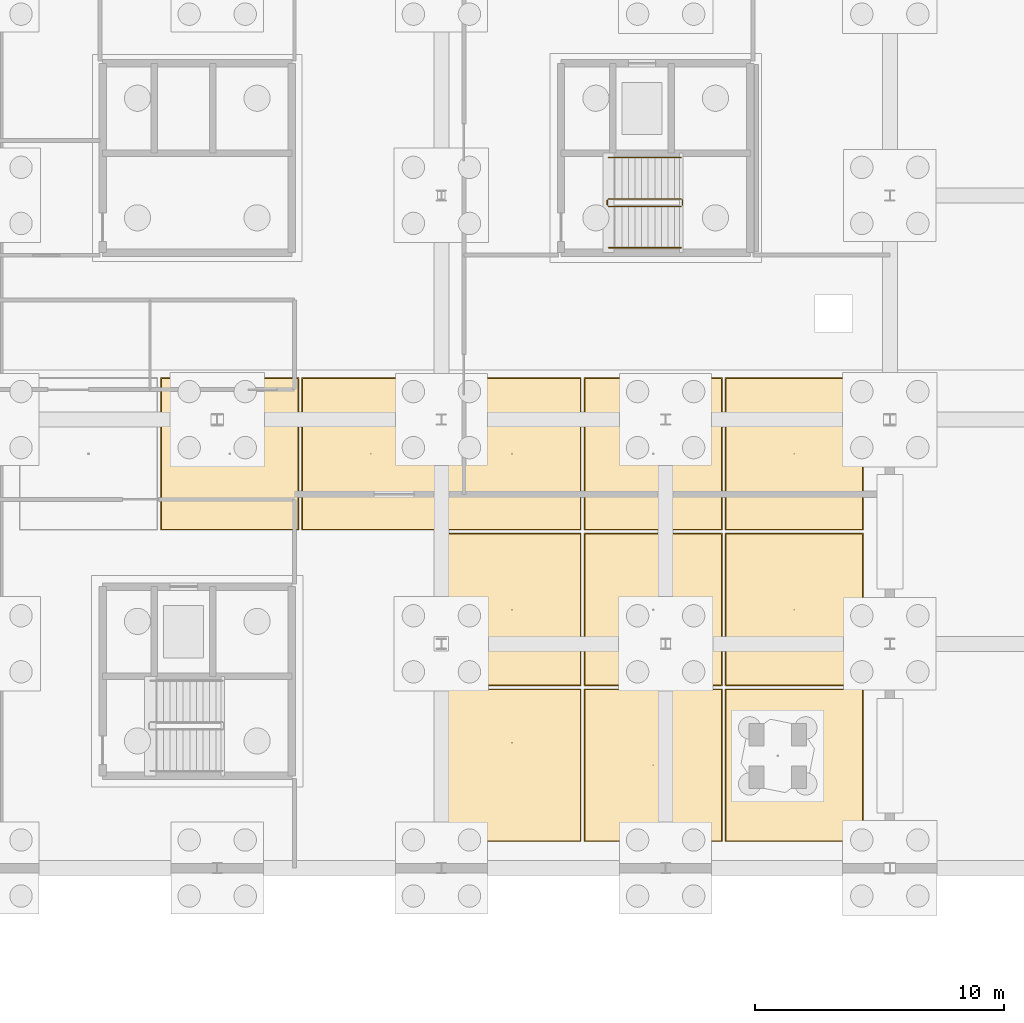
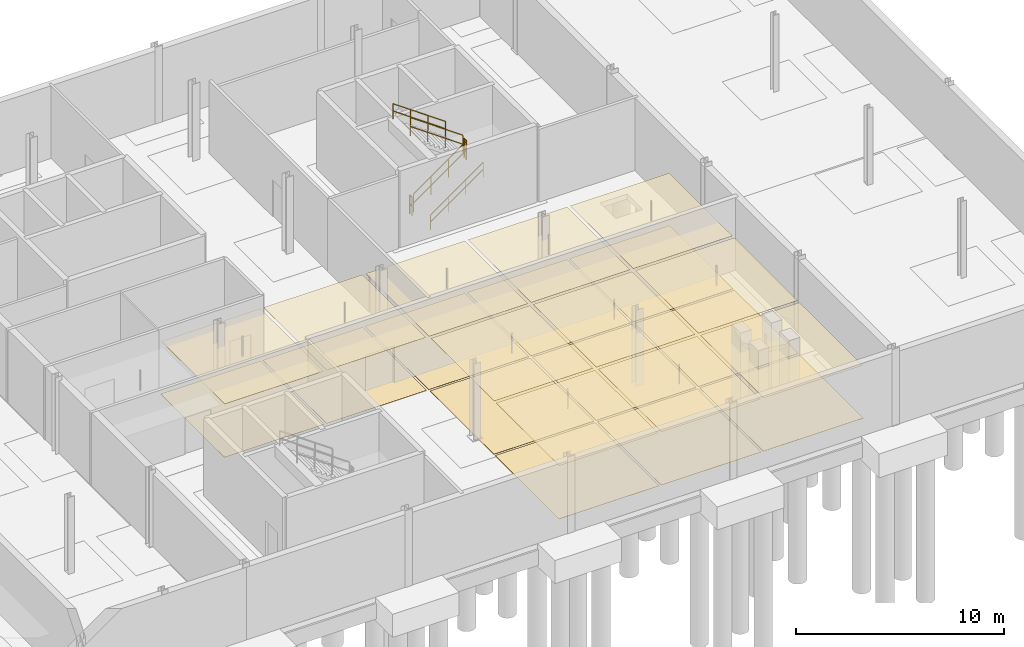
# One storey, part 47 of 48: 22 coverings, 6 railings.
"""IFC4 building model written with IfcOpenShell, lengths in metres."""

from ifc_helpers import new_model, si_unit, direction, frame, origin, origin_2d, place, context, subcontext, project, spatial, rectangle, circle, extrude, material, layer, layer_set, type_object, element, save


model = new_model("IFC4")

# Units and contexts
model_context = context("Model", 3, precision=1e-05, world=origin(), true_north=direction((0.0, 1.0)))
body_context = subcontext(model_context, "Body", "Model", "MODEL_VIEW")
ifc_project = project(units=[si_unit("LENGTHUNIT", "METRE"), si_unit("AREAUNIT", "SQUARE_METRE"), si_unit("VOLUMEUNIT", "CUBIC_METRE"), si_unit("PLANEANGLEUNIT", "RADIAN"), si_unit("MASSUNIT", "GRAM", prefix="KILO"), si_unit("THERMODYNAMICTEMPERATUREUNIT", "KELVIN"), si_unit("POWERUNIT", "WATT")], contexts=[model_context])

# Site, building, storey
site_placement = place(None, origin())
site = spatial("IfcSite", under=ifc_project, at=site_placement, CompositionType="ELEMENT")
building_placement = place(site_placement, origin())
building = spatial("IfcBuilding", under=site, at=building_placement, Name="Tallowbark Science Centre", CompositionType="ELEMENT")
storey_placement = place(building_placement, frame((0.0, 0.0, -4.5)))
storey = spatial("IfcBuildingStorey", under=building, at=storey_placement, Name="B1", CompositionType="ELEMENT", Elevation=-4.5)

# Coverings
ifc_material_1 = material(Name="Mineral-Fibre Acoustic Ceiling Tile Grid")
ifc_layer_1 = layer(ifc_material_1, 0.01806640625)
ifc_layer_set_1 = layer_set([ifc_layer_1], Name="Mineral-Fibre Acoustic Ceiling Tile Grid")
covering_type_1 = type_object("IfcCoveringType", Name="CLG-ACT-18", PredefinedType="CEILING", material=ifc_layer_set_1)
for number, where, z_axis, x_axis, name in (
    (1, (122.0, 88.625, 3.091064453125), (0.0, 0.0, 1.0), (1.0, 0.0, 0.0), "Suspended Ceiling B1-64"),
    (2, (127.666748046875, 88.625, 3.091064453125), (0.0, 0.0, 1.0), (1.0, 0.0, 0.0), "Suspended Ceiling B1-65"),
    (3, (133.333251953125, 76.125, 3.091064453125), (0.0, 0.0, 1.0), (1.0, 0.0, 0.0), "Suspended Ceiling B1-66"),
    (4, (133.333251953125, 82.375, 3.091064453125), (0.0, 0.0, 1.0), (1.0, 0.0, 0.0), "Suspended Ceiling B1-67"),
    (5, (133.333251953125, 88.625, 3.091064453125), (0.0, 0.0, 1.0), (1.0, 0.0, 0.0), "Suspended Ceiling B1-68"),
    (6, (139.0, 76.125, 3.091064453125), (0.0, 0.0, 1.0), (1.0, 0.0, 0.0), "Suspended Ceiling B1-69"),
    (7, (139.0, 82.375, 3.091064453125), (0.0, 0.0, 1.0), (1.0, 0.0, 0.0), "Suspended Ceiling B1-70"),
    (8, (139.0, 88.625, 3.091064453125), (0.0, 0.0, 1.0), (1.0, 0.0, 0.0), "Suspended Ceiling B1-71"),
    (9, (144.666748046875, 76.125, 3.091064453125), (0.0, 0.0, 1.0), (1.0, 0.0, 0.0), "Suspended Ceiling B1-72"),
    (10, (144.666748046875, 82.375, 3.091064453125), (0.0, 0.0, 1.0), (1.0, 0.0, 0.0), "Suspended Ceiling B1-73"),
    (11, (144.666748046875, 88.625, 3.091064453125), (0.0, 0.0, 1.0), (1.0, 0.0, 0.0), "Suspended Ceiling B1-74"),
):
    element("IfcCovering", number, at=place(storey_placement, frame(where, z_axis=z_axis, x_axis=x_axis)), inside=storey, type_object=covering_type_1, Name=name, PredefinedType="CEILING", context=body_context, shape_type="SweptSolid", body=[
        extrude(rectangle(XDim=5.48681640625, YDim=6.070068359375, at=origin_2d()), origin(), (0.0, 0.0, 1.0), 0.01806640625),
    ])
ifc_material_2 = material(Name="Chemical-Resistant Seamless Laboratory Vinyl")
ifc_layer_2 = layer(ifc_material_2, 0.011962890625)
ifc_layer_set_2 = layer_set([ifc_layer_2], Name="Chemical-Resistant Seamless Laboratory Vinyl")
covering_type_2 = type_object("IfcCoveringType", Name="FLR-VIN-12", PredefinedType="FLOORING", material=ifc_layer_set_2)
for number, where, z_axis, x_axis, name in (
    (12, (122.0, 88.625, 0.0), (0.0, 0.0, 1.0), (1.0, 0.0, 0.0), "Floor Finish B1-64"),
    (13, (127.666748046875, 88.625, 0.0), (0.0, 0.0, 1.0), (1.0, 0.0, 0.0), "Floor Finish B1-65"),
    (14, (133.333251953125, 76.125, 0.0), (0.0, 0.0, 1.0), (1.0, 0.0, 0.0), "Floor Finish B1-66"),
    (15, (133.333251953125, 82.375, 0.0), (0.0, 0.0, 1.0), (1.0, 0.0, 0.0), "Floor Finish B1-67"),
    (16, (133.333251953125, 88.625, 0.0), (0.0, 0.0, 1.0), (1.0, 0.0, 0.0), "Floor Finish B1-68"),
    (17, (139.0, 76.125, 0.0), (0.0, 0.0, 1.0), (1.0, 0.0, 0.0), "Floor Finish B1-69"),
    (18, (139.0, 82.375, 0.0), (0.0, 0.0, 1.0), (1.0, 0.0, 0.0), "Floor Finish B1-70"),
    (19, (139.0, 88.625, 0.0), (0.0, 0.0, 1.0), (1.0, 0.0, 0.0), "Floor Finish B1-71"),
    (20, (144.666748046875, 76.125, 0.0), (0.0, 0.0, 1.0), (1.0, 0.0, 0.0), "Floor Finish B1-72"),
    (21, (144.666748046875, 82.375, 0.0), (0.0, 0.0, 1.0), (1.0, 0.0, 0.0), "Floor Finish B1-73"),
    (22, (144.666748046875, 88.625, 0.0), (0.0, 0.0, 1.0), (1.0, 0.0, 0.0), "Floor Finish B1-74"),
):
    element("IfcCovering", number, at=place(storey_placement, frame(where, z_axis=z_axis, x_axis=x_axis)), inside=storey, type_object=covering_type_2, Name=name, PredefinedType="FLOORING", context=body_context, shape_type="SweptSolid", body=[
        extrude(rectangle(XDim=5.546630859375, YDim=6.1298828125, at=origin_2d()), origin(), (0.0, 0.0, 1.0), 0.011962890625),
    ])

# Railings
ifc_material_3 = material(Name="Galvanised Painted Steel and Laminated Glass Balustrade", Category="steel")
ifc_layer_3 = layer(ifc_material_3, 0.070068359375)
ifc_layer_set_3 = layer_set([ifc_layer_3], Name="Galvanised Painted Steel and Laminated Glass Balustrade")
railing_type_1 = type_object("IfcRailingType", Name="RLG-BAL-1150", PredefinedType="BALUSTRADE", material=ifc_layer_set_3)
railing_1_placement = place(storey_placement, frame((137.2099609375, 98.56005859375, 0.1875)))
element("IfcRailing", 23, at=railing_1_placement, inside=storey, type_object=railing_type_1, Name="B1 ST-04 stair guard 1", PredefinedType="BALUSTRADE", context=body_context, shape_type="SweptSolid", body=[
    extrude(circle(Radius=0.02392578125, at=origin_2d()), frame((0.0, 0.0, 1.076171875), z_axis=(0.816330724661, 0.0, 0.577584753931), x_axis=(0.0, 1.0, 0.0)), (0.0, 0.0, 1.0), 3.57080078125),
    extrude(circle(Radius=0.02392578125, at=origin_2d()), frame((0.0, 0.0, 0.550048828125), z_axis=(0.816330724661, 0.0, 0.577584753931), x_axis=(0.0, 1.0, 0.0)), (0.0, 0.0, 1.0), 3.57080078125),
    extrude(circle(Radius=0.02099609375, at=origin_2d()), origin(), (0.0, 0.0, 1.0), 1.052001953125),
    extrude(circle(Radius=0.02099609375, at=origin_2d()), frame((0.9716796875, 0.0, 0.6875)), (0.0, 0.0, 1.0), 1.052001953125),
    extrude(circle(Radius=0.02099609375, at=origin_2d()), frame((1.943359375, 0.0, 1.375)), (0.0, 0.0, 1.0), 1.052001953125),
    extrude(circle(Radius=0.02099609375, at=origin_2d()), frame((2.9150390625, 0.0, 2.0625)), (0.0, 0.0, 1.0), 1.052001953125),
])
railing_2_placement = place(storey_placement, frame((140.175048828125, 98.610107421875, 2.25)))
element("IfcRailing", 24, at=railing_2_placement, inside=storey, type_object=railing_type_1, Name="B1 ST-04 stair guard 2", PredefinedType="BALUSTRADE", context=body_context, shape_type="SweptSolid", body=[
    extrude(circle(Radius=0.02392578125, at=origin_2d()), frame((0.0, 0.0, 1.076171875), z_axis=(0.0, 1.0, 0.0), x_axis=(-1.0, 0.0, 0.0)), (0.0, 0.0, 1.0), 0.199951171875),
    extrude(circle(Radius=0.02392578125, at=origin_2d()), frame((0.0, 0.0, 0.550048828125), z_axis=(0.0, 1.0, 0.0), x_axis=(-1.0, 0.0, 0.0)), (0.0, 0.0, 1.0), 0.199951171875),
    extrude(circle(Radius=0.02099609375, at=origin_2d()), origin(), (0.0, 0.0, 1.0), 1.052001953125),
    extrude(circle(Radius=0.02099609375, at=origin_2d()), frame((0.0, 0.199951171875, 0.0)), (0.0, 0.0, 1.0), 1.052001953125),
])
railing_3_placement = place(storey_placement, frame((140.125, 98.860107421875, 2.4375)))
element("IfcRailing", 25, at=railing_3_placement, inside=storey, type_object=railing_type_1, Name="B1 ST-04 stair guard 3", PredefinedType="BALUSTRADE", context=body_context, shape_type="SweptSolid", body=[
    extrude(circle(Radius=0.02392578125, at=origin_2d()), frame((0.0, 0.0, 1.076171875), z_axis=(-0.816330724661, 0.0, 0.577584753931), x_axis=(0.0, -1.0, 0.0)), (0.0, 0.0, 1.0), 3.57080078125),
    extrude(circle(Radius=0.02392578125, at=origin_2d()), frame((0.0, 0.0, 0.550048828125), z_axis=(-0.816330724661, 0.0, 0.577584753931), x_axis=(0.0, -1.0, 0.0)), (0.0, 0.0, 1.0), 3.57080078125),
    extrude(circle(Radius=0.02099609375, at=origin_2d()), origin(), (0.0, 0.0, 1.0), 1.052001953125),
    extrude(circle(Radius=0.02099609375, at=origin_2d()), frame((-0.9716796875, 0.0, 0.6875)), (0.0, 0.0, 1.0), 1.052001953125),
    extrude(circle(Radius=0.02099609375, at=origin_2d()), frame((-1.943359375, 0.0, 1.375)), (0.0, 0.0, 1.0), 1.052001953125),
    extrude(circle(Radius=0.02099609375, at=origin_2d()), frame((-2.9150390625, 0.0, 2.0625)), (0.0, 0.0, 1.0), 1.052001953125),
])
railing_4_placement = place(storey_placement, frame((137.159912109375, 98.610107421875, 0.0)))
element("IfcRailing", 26, at=railing_4_placement, inside=storey, type_object=railing_type_1, Name="B1 ST-04 stair guard 4", PredefinedType="BALUSTRADE", context=body_context, shape_type="SweptSolid", body=[
    extrude(circle(Radius=0.02392578125, at=origin_2d()), frame((0.0, 0.0, 1.076171875), z_axis=(0.0, 1.0, 0.0), x_axis=(-1.0, 0.0, 0.0)), (0.0, 0.0, 1.0), 0.199951171875),
    extrude(circle(Radius=0.02392578125, at=origin_2d()), frame((0.0, 0.0, 0.550048828125), z_axis=(0.0, 1.0, 0.0), x_axis=(-1.0, 0.0, 0.0)), (0.0, 0.0, 1.0), 0.199951171875),
    extrude(circle(Radius=0.02099609375, at=origin_2d()), origin(), (0.0, 0.0, 1.0), 1.052001953125),
    extrude(circle(Radius=0.02099609375, at=origin_2d()), frame((0.0, 0.199951171875, 0.0)), (0.0, 0.0, 1.0), 1.052001953125),
])
ifc_material_4 = material(Name="Brushed Grade 316 Stainless Steel Handrail", Category="steel")
ifc_layer_4 = layer(ifc_material_4, 0.050048828125)
ifc_layer_set_4 = layer_set([ifc_layer_4], Name="Brushed Grade 316 Stainless Steel Handrail")
railing_type_2 = type_object("IfcRailingType", Name="RLG-HDR-950", PredefinedType="HANDRAIL", material=ifc_layer_set_4)
railing_5_placement = place(storey_placement, frame((137.2099609375, 96.89990234375, 0.1875)))
element("IfcRailing", 27, at=railing_5_placement, inside=storey, type_object=railing_type_2, Name="B1 ST-04 stair handrail 1", PredefinedType="HANDRAIL", context=body_context, shape_type="SweptSolid", body=[
    extrude(circle(Radius=0.02392578125, at=origin_2d()), frame((0.0, 0.0, 0.8759765625), z_axis=(0.816330724661, 0.0, 0.577584753931), x_axis=(0.0, 1.0, 0.0)), (0.0, 0.0, 1.0), 3.57080078125),
    extrude(circle(Radius=0.02392578125, at=origin_2d()), frame((0.0, 0.0, 0.449951171875), z_axis=(0.816330724661, 0.0, 0.577584753931), x_axis=(0.0, 1.0, 0.0)), (0.0, 0.0, 1.0), 3.57080078125),
    extrude(circle(Radius=0.02099609375, at=origin_2d()), origin(), (0.0, 0.0, 1.0), 0.851806640625),
    extrude(circle(Radius=0.02099609375, at=origin_2d()), frame((0.9716796875, 0.0, 0.6875)), (0.0, 0.0, 1.0), 0.851806640625),
    extrude(circle(Radius=0.02099609375, at=origin_2d()), frame((1.943359375, 0.0, 1.375)), (0.0, 0.0, 1.0), 0.851806640625),
    extrude(circle(Radius=0.02099609375, at=origin_2d()), frame((2.9150390625, 0.0, 2.0625)), (0.0, 0.0, 1.0), 0.851806640625),
])
railing_6_placement = place(storey_placement, frame((140.125, 100.52001953125, 2.4375)))
element("IfcRailing", 28, at=railing_6_placement, inside=storey, type_object=railing_type_2, Name="B1 ST-04 stair handrail 2", PredefinedType="HANDRAIL", context=body_context, shape_type="SweptSolid", body=[
    extrude(circle(Radius=0.02392578125, at=origin_2d()), frame((0.0, 0.0, 0.8759765625), z_axis=(-0.816330724661, 0.0, 0.577584753931), x_axis=(0.0, -1.0, 0.0)), (0.0, 0.0, 1.0), 3.57080078125),
    extrude(circle(Radius=0.02392578125, at=origin_2d()), frame((0.0, 0.0, 0.449951171875), z_axis=(-0.816330724661, 0.0, 0.577584753931), x_axis=(0.0, -1.0, 0.0)), (0.0, 0.0, 1.0), 3.57080078125),
    extrude(circle(Radius=0.02099609375, at=origin_2d()), origin(), (0.0, 0.0, 1.0), 0.851806640625),
    extrude(circle(Radius=0.02099609375, at=origin_2d()), frame((-0.9716796875, 0.0, 0.6875)), (0.0, 0.0, 1.0), 0.851806640625),
    extrude(circle(Radius=0.02099609375, at=origin_2d()), frame((-1.943359375, 0.0, 1.375)), (0.0, 0.0, 1.0), 0.851806640625),
    extrude(circle(Radius=0.02099609375, at=origin_2d()), frame((-2.9150390625, 0.0, 2.0625)), (0.0, 0.0, 1.0), 0.851806640625),
])

save(model, "model.ifc")
